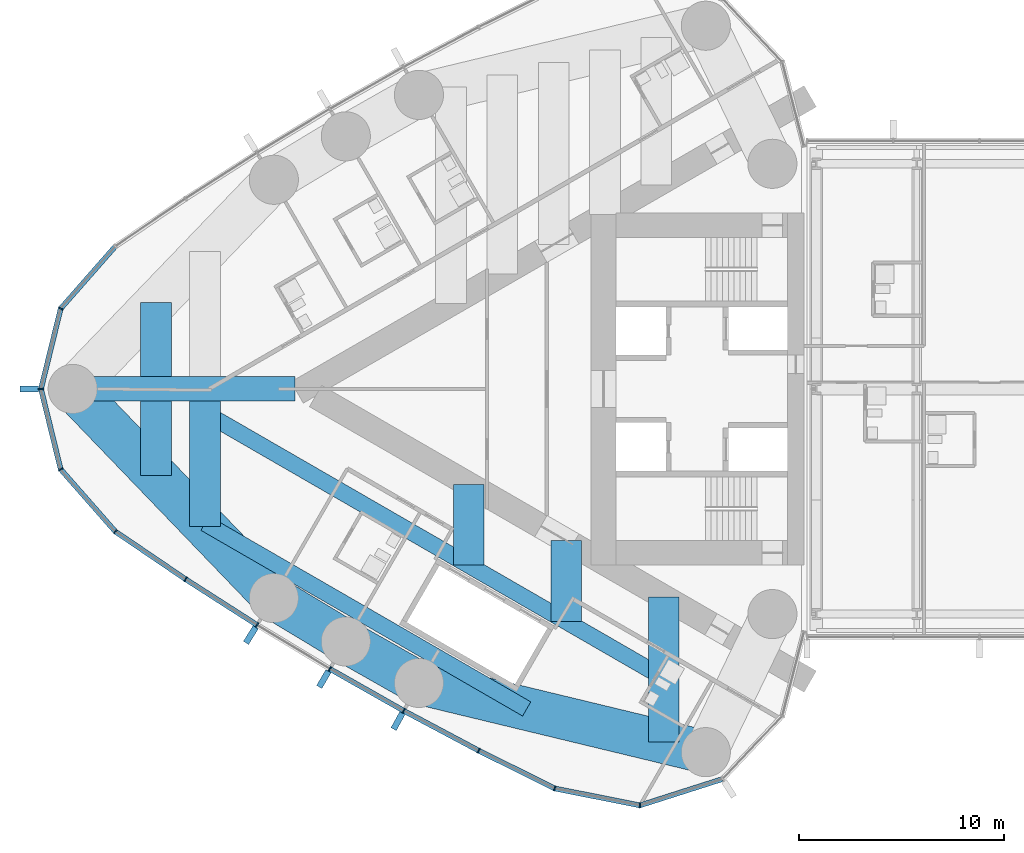
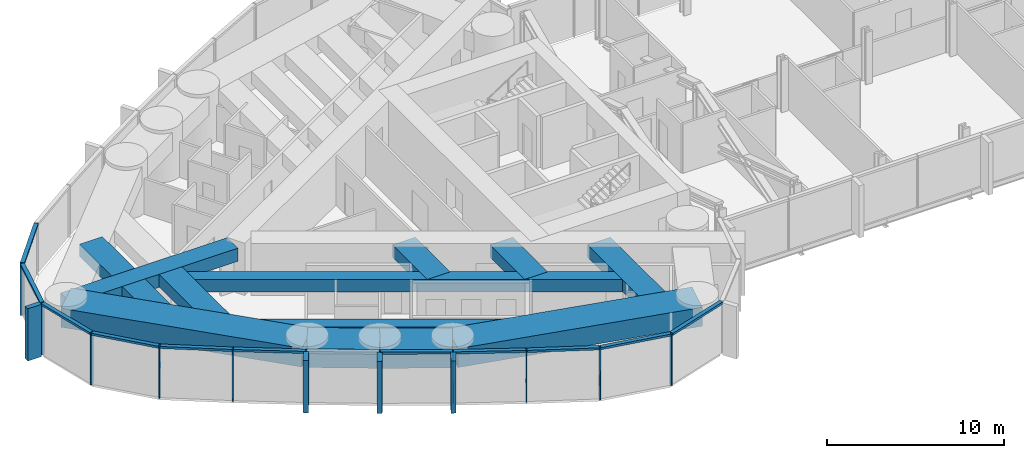
# One storey, part 3 of 24: 26 members, 13 beams, 1 element without a shape of its own.
"""IFC4 building model written with IfcOpenShell, lengths in metres."""

import ifcopenshell
import ifcopenshell.guid

model = None  # the IFC model being written
_history = None  # IfcOwnerHistory: only IFC2X3 demands one
_inside = {}  # id of a spatial element -> (the spatial element, [elements in it])
_under = {}  # id of a project, library or spatial element -> (it, [spatial elements below it])
_declared = {}  # id of a project -> (the project, [libraries it declares])
_typed = {}  # id of a type object -> (the type object, [elements of that type])
_made_of = {}  # id of a material, layer set ... -> (it, [elements and type objects made of it])


def new_model(schema):
    """Start an empty IFC model of exactly this schema.

    Asked for "IFC4X3", IfcOpenShell would pick the latest addendum, in which some entities
    have other attributes; the version numbers below select the first issue.
    IFC2X3 requires an IfcOwnerHistory on every rooted entity: one is made here for all.
    """
    global model, _history
    if schema == "IFC4X3":
        model = ifcopenshell.file(schema_version=(4, 3, 0, 0))
    else:
        model = ifcopenshell.file(schema=schema)
    _inside.clear()
    _under.clear()
    _declared.clear()
    _typed.clear()
    _made_of.clear()
    _history = None
    if model.schema == "IFC2X3":
        org = make("IfcOrganization", Name="unknown")
        user = make(
            "IfcPersonAndOrganization",
            ThePerson=make("IfcPerson", FamilyName="unknown"),
            TheOrganization=org,
        )
        app = make(
            "IfcApplication",
            ApplicationDeveloper=org,
            Version="unknown",
            ApplicationFullName="unknown",
            ApplicationIdentifier="unknown",
        )
        _history = make(
            "IfcOwnerHistory",
            OwningUser=user,
            OwningApplication=app,
            ChangeAction="ADDED",
            CreationDate=0,
        )
    return model


def make(cls, **values):
    """One entity of the class cls with the attributes given. An attribute that is None is left unset."""
    return model.create_entity(
        cls, **{name: value for name, value in values.items() if value is not None}
    )


def rooted(cls, **values):
    """An entity with a GlobalId (a new one), such as an element, a storey or a relation."""
    return make(cls, GlobalId=ifcopenshell.guid.new(), OwnerHistory=_history, **values)


def si_unit(unit_type, name, prefix=None):
    """IfcSIUnit, for example si_unit("LENGTHUNIT", "METRE", prefix="MILLI")."""
    return make("IfcSIUnit", UnitType=unit_type, Prefix=prefix, Name=name)


def assignment(units):
    """IfcUnitAssignment: the units of a project."""
    return None if units is None else make("IfcUnitAssignment", Units=units)


def point(xyz):
    """IfcCartesianPoint."""
    return None if xyz is None else make("IfcCartesianPoint", Coordinates=xyz)


def direction(xyz):
    """IfcDirection."""
    return None if xyz is None else make("IfcDirection", DirectionRatios=xyz)


def frame(location, z_axis=None, x_axis=None):
    """IfcAxis2Placement3D, a coordinate frame: its origin and axes. An axis left out is left unset."""
    return make(
        "IfcAxis2Placement3D",
        Location=point(location),
        Axis=direction(z_axis),
        RefDirection=direction(x_axis),
    )


def frame_2d(location, x_axis=None):
    """IfcAxis2Placement2D, a coordinate frame in the plane: its origin and x axis."""
    return make(
        "IfcAxis2Placement2D", Location=point(location), RefDirection=direction(x_axis)
    )


def origin():
    """The frame at (0, 0, 0) with its axes left unset."""
    return frame((0.0, 0.0, 0.0))


def origin_2d():
    """The frame at (0, 0) in the plane with its x axis left unset."""
    return frame_2d((0.0, 0.0))


def place(relative_to, where):
    """IfcLocalPlacement: puts the frame where relative to a parent placement (None: the world)."""
    return make(
        "IfcLocalPlacement", PlacementRelTo=relative_to, RelativePlacement=where
    )


def context(
    kind, dimensions, precision=None, world=None, true_north=None, identifier=None
):
    """IfcGeometricRepresentationContext, for example the 3D "Model" context."""
    return make(
        "IfcGeometricRepresentationContext",
        ContextIdentifier=identifier,
        ContextType=kind,
        CoordinateSpaceDimension=dimensions,
        Precision=precision,
        WorldCoordinateSystem=world,
        TrueNorth=true_north,
    )


def subcontext(parent, identifier, kind, view, scale=None):
    """IfcGeometricRepresentationSubContext, for example "Body" below "Model"."""
    return make(
        "IfcGeometricRepresentationSubContext",
        ContextIdentifier=identifier,
        ContextType=kind,
        ParentContext=parent,
        TargetScale=scale,
        TargetView=view,
    )


def project(units=None, contexts=None):
    """IfcProject with its units and contexts."""
    return rooted(
        "IfcProject",
        Name="project",
        RepresentationContexts=contexts,
        UnitsInContext=assignment(units),
    )


def spatial(cls, under=None, at=None, **own):
    """A site, building, storey or space (cls), placed at a placement, below another one or the project."""
    s = rooted(cls, ObjectPlacement=at, **own)
    if under is not None:
        _under.setdefault(under.id(), (under, []))[1].append(s)
    return s


def profile(cls, at=None, kind="AREA", **sizes):
    """A parametric profile (cls). Its sizes go by their IFC names, for example OverallWidth=200.0."""
    return make(cls, ProfileType=kind, Position=at, **sizes)


def rectangle(**sizes):
    """IfcRectangleProfileDef."""
    return profile("IfcRectangleProfileDef", **sizes)


def hollow_rectangle(**sizes):
    """IfcRectangleHollowProfileDef."""
    return profile("IfcRectangleHollowProfileDef", **sizes)


def extrude(swept, where, along, depth):
    """IfcExtrudedAreaSolid: the profile swept, set in the frame where, extruded along a direction by depth."""
    return make(
        "IfcExtrudedAreaSolid",
        SweptArea=swept,
        Position=where,
        ExtrudedDirection=direction(along),
        Depth=depth,
    )


def shape(context_of_items, identifier, shape_type, items):
    """IfcShapeRepresentation: the items that make up one representation, for example the "Body"."""
    return make(
        "IfcShapeRepresentation",
        ContextOfItems=context_of_items,
        RepresentationIdentifier=identifier,
        RepresentationType=shape_type,
        Items=items,
    )


def material(Name=None, Category=None):
    """IfcMaterial."""
    return make("IfcMaterial", Name=Name, Category=Category)


def material_profile(
    of_material, cross_section, Name=None, Category=None, Priority=None
):
    """IfcMaterialProfile: a cross section and its material."""
    return make(
        "IfcMaterialProfile",
        Name=Name,
        Material=of_material,
        Profile=cross_section,
        Priority=Priority,
        Category=Category,
    )


def profile_set(profiles, Name=None, composite=None):
    """IfcMaterialProfileSet."""
    return make(
        "IfcMaterialProfileSet",
        Name=Name,
        MaterialProfiles=profiles,
        CompositeProfile=composite,
    )


def made_of(thing, what):
    """Note that an element or type object is made of a material, layer set ...; save() writes the relation."""
    if what is not None:
        _made_of.setdefault(what.id(), (what, []))[1].append(thing)
    return thing


def type_object(cls, material=None, **own):
    """A type object (cls), such as IfcWallType, which elements share."""
    return made_of(rooted(cls, **own), material)


def element(
    cls,
    number,
    at=None,
    inside=None,
    cuts=None,
    type_object=None,
    material=None,
    context=None,
    identifier="Body",
    shape_type=None,
    held_by="IfcProductDefinitionShape",
    body=None,
    shapes=None,
    **own,
):
    """One element of the class cls, such as IfcWall. Its Tag is "e" and its number.

    at: its placement. inside: the storey or other place that contains it. cuts: it is an
    opening in that element (IfcRelVoidsElement). A single representation is given by context,
    identifier, shape_type and body (its items); several are given by shapes. held_by: the class
    of the entity that holds the representations. save() writes the other relations.
    """
    e = rooted(cls, Tag="e%d" % number, ObjectPlacement=at, **own)
    if body is not None:
        shapes = [shape(context, identifier, shape_type, body)]
    if shapes is not None:
        e.Representation = make(held_by, Representations=shapes)
    if inside is not None:
        _inside.setdefault(inside.id(), (inside, []))[1].append(e)
    if cuts is not None:
        rooted(
            "IfcRelVoidsElement", RelatingBuildingElement=cuts, RelatedOpeningElement=e
        )
    if type_object is not None:
        _typed.setdefault(type_object.id(), (type_object, []))[1].append(e)
    return made_of(e, material)


def aggregate(whole, parts):
    """IfcRelAggregates: a whole, such as a stair, and the parts it consists of."""
    return rooted("IfcRelAggregates", RelatingObject=whole, RelatedObjects=parts)


def save(model, path):
    """Write the relations noted so far, then the file.

    IfcRelAggregates (storeys below a building ...), IfcRelContainedInSpatialStructure (elements
    in a storey), IfcRelDefinesByType, IfcRelAssociatesMaterial and IfcRelDeclares: one each for
    every whole, place, type object, material and project.
    """
    for whole, parts in _under.values():
        aggregate(whole, parts)
    for where, things in _inside.values():
        rooted(
            "IfcRelContainedInSpatialStructure",
            RelatedElements=things,
            RelatingStructure=where,
        )
    for kind, things in _typed.values():
        rooted("IfcRelDefinesByType", RelatedObjects=things, RelatingType=kind)
    for what, things in _made_of.values():
        rooted("IfcRelAssociatesMaterial", RelatedObjects=things, RelatingMaterial=what)
    for by, libraries in _declared.values():
        rooted("IfcRelDeclares", RelatingContext=by, RelatedDefinitions=libraries)
    model.write(path)


model = new_model("IFC4")

# Units and contexts
model_context = context("Model", 3, precision=1e-05, world=origin(), true_north=direction((0.0, 1.0)))
body_context = subcontext(model_context, "Body", "Model", "MODEL_VIEW")
ifc_project = project(units=[si_unit("LENGTHUNIT", "METRE"), si_unit("AREAUNIT", "SQUARE_METRE"), si_unit("VOLUMEUNIT", "CUBIC_METRE"), si_unit("PLANEANGLEUNIT", "RADIAN"), si_unit("MASSUNIT", "GRAM", prefix="KILO")], contexts=[model_context])

# Site, building, storey
site_placement = place(None, origin())
site = spatial("IfcSite", under=ifc_project, at=site_placement, CompositionType="ELEMENT")
building_placement = place(site_placement, origin())
building = spatial("IfcBuilding", under=site, at=building_placement, Name="Lancet Gate Hotel", CompositionType="ELEMENT")
storey_placement = place(building_placement, frame((0.0, 0.0, 236.89990234375)))
storey = spatial("IfcBuildingStorey", under=building, at=storey_placement, Name="L63", CompositionType="ELEMENT", Elevation=236.89990234375)

# Curtain wall, members
ifc_material_1 = material(Name="Aluminium curtain wall", Category="aluminium")
curtain_wall_type = type_object("IfcCurtainWallType", Name="Tower unitised curtain wall", PredefinedType="USERDEFINED", material=ifc_material_1)
curtain_wall_placement = place(storey_placement, origin())
curtain_wall = element("IfcCurtainWall", 1, at=curtain_wall_placement, inside=storey, type_object=curtain_wall_type, Name="T1 L63 curtain wall 1", ObjectType="UNITISED CURTAIN WALL", PredefinedType="USERDEFINED")
ifc_material_2 = material(Name="Aluminium mullion", Category="aluminium")
ifc_material_profile_1 = material_profile(ifc_material_2, rectangle(XDim=0.06494140625, YDim=0.25, at=origin_2d()), Name="MULLION 65x250")
ifc_profile_set_1 = profile_set([ifc_material_profile_1], Name="Aluminium mullion")
member_type_1 = type_object("IfcMemberType", Name="Aluminium mullion 65x250", PredefinedType="MULLION", material=ifc_profile_set_1)
member_1_placement = place(storey_placement, frame((-63.822021484375, 3.928466796875, 0.0), z_axis=(0.0, 0.0, 1.0), x_axis=(-0.46217799743, -0.886787177789, 0.0)))
member_1 = element("IfcMember", 2, at=member_1_placement, type_object=member_type_1, Name="T1 L63 curtain wall 1 mullion 12", PredefinedType="MULLION", context=body_context, shape_type="SweptSolid", body=[
    extrude(rectangle(XDim=0.06494140625, YDim=0.25, at=origin_2d()), origin(), (0.0, 0.0, 1.0), 3.60009765625),
])
member_2_placement = place(storey_placement, frame((-64.7841796875, 0.0, 0.0), z_axis=(0.0, 0.0, 1.0), x_axis=(0.0, -1.0, 0.0)))
member_2 = element("IfcMember", 3, at=member_2_placement, type_object=member_type_1, Name="T1 L63 curtain wall 1 mullion 13", PredefinedType="MULLION", context=body_context, shape_type="SweptSolid", body=[
    extrude(rectangle(XDim=0.06494140625, YDim=0.25, at=origin_2d()), origin(), (0.0, 0.0, 1.0), 3.60009765625),
])
member_3_placement = place(storey_placement, frame((-63.822021484375, -3.928466796875, 0.0), z_axis=(0.0, 0.0, 1.0), x_axis=(0.46217799743, -0.886787177789, 0.0)))
member_3 = element("IfcMember", 4, at=member_3_placement, type_object=member_type_1, Name="T1 L63 curtain wall 1 mullion 14", PredefinedType="MULLION", context=body_context, shape_type="SweptSolid", body=[
    extrude(rectangle(XDim=0.06494140625, YDim=0.25, at=origin_2d()), origin(), (0.0, 0.0, 1.0), 3.60009765625),
])
member_4_placement = place(storey_placement, frame((-61.15283203125, -6.967529296875, 0.0), z_axis=(0.0, 0.0, 1.0), x_axis=(0.750715604757, -0.660625522345, 0.0)))
member_4 = element("IfcMember", 5, at=member_4_placement, type_object=member_type_1, Name="T1 L63 curtain wall 1 mullion 15", PredefinedType="MULLION", context=body_context, shape_type="SweptSolid", body=[
    extrude(rectangle(XDim=0.06494140625, YDim=0.25, at=origin_2d()), origin(), (0.0, 0.0, 1.0), 3.60009765625),
])
member_5_placement = place(storey_placement, frame((-57.72021484375, -9.298095703125, 0.0), z_axis=(0.0, 0.0, 1.0), x_axis=(0.834827178542, -0.550512108829, 0.0)))
member_5 = element("IfcMember", 6, at=member_5_placement, type_object=member_type_1, Name="T1 L63 curtain wall 1 mullion 16", PredefinedType="MULLION", context=body_context, shape_type="SweptSolid", body=[
    extrude(rectangle(XDim=0.06494140625, YDim=0.25, at=origin_2d()), origin(), (0.0, 0.0, 1.0), 3.60009765625),
])
member_6_placement = place(storey_placement, frame((-54.225830078125, -11.535400390625, 0.0), z_axis=(0.0, 0.0, 1.0), x_axis=(0.849342388216, -0.527842313176, 0.0)))
member_6 = element("IfcMember", 7, at=member_6_placement, type_object=member_type_1, Name="T1 L63 curtain wall 1 mullion 17", PredefinedType="MULLION", context=body_context, shape_type="SweptSolid", body=[
    extrude(rectangle(XDim=0.06494140625, YDim=0.25, at=origin_2d()), origin(), (0.0, 0.0, 1.0), 3.60009765625),
])
member_7_placement = place(storey_placement, frame((-50.67236328125, -13.677978515625, 0.0), z_axis=(0.0, 0.0, 1.0), x_axis=(0.863242155108, -0.504790037189, 0.0)))
member_7 = element("IfcMember", 8, at=member_7_placement, type_object=member_type_1, Name="T1 L63 curtain wall 1 mullion 18", PredefinedType="MULLION", context=body_context, shape_type="SweptSolid", body=[
    extrude(rectangle(XDim=0.06494140625, YDim=0.25, at=origin_2d()), origin(), (0.0, 0.0, 1.0), 3.60009765625),
])
member_8_placement = place(storey_placement, frame((-47.062744140625, -15.72412109375, 0.0), z_axis=(0.0, 0.0, 1.0), x_axis=(0.876516407283, -0.481371984815, 0.0)))
member_8 = element("IfcMember", 9, at=member_8_placement, type_object=member_type_1, Name="T1 L63 curtain wall 1 mullion 19", PredefinedType="MULLION", context=body_context, shape_type="SweptSolid", body=[
    extrude(rectangle(XDim=0.06494140625, YDim=0.25, at=origin_2d()), origin(), (0.0, 0.0, 1.0), 3.60009765625),
])
member_9_placement = place(storey_placement, frame((-43.3994140625, -17.67236328125, 0.0), z_axis=(0.0, 0.0, 1.0), x_axis=(0.889155526065, -0.457605125046, 0.0)))
member_9 = element("IfcMember", 10, at=member_9_placement, type_object=member_type_1, Name="T1 L63 curtain wall 1 mullion 20", PredefinedType="MULLION", context=body_context, shape_type="SweptSolid", body=[
    extrude(rectangle(XDim=0.06494140625, YDim=0.25, at=origin_2d()), origin(), (0.0, 0.0, 1.0), 3.60009765625),
])
member_10_placement = place(storey_placement, frame((-39.684814453125, -19.521240234375, 0.0), z_axis=(0.0, 0.0, 1.0), x_axis=(0.946887706423, -0.321564412561, 0.0)))
member_10 = element("IfcMember", 11, at=member_10_placement, type_object=member_type_1, Name="T1 L63 curtain wall 1 mullion 21", PredefinedType="MULLION", context=body_context, shape_type="SweptSolid", body=[
    extrude(rectangle(XDim=0.06494140625, YDim=0.25, at=origin_2d()), origin(), (0.0, 0.0, 1.0), 3.60009765625),
])
member_11_placement = place(storey_placement, frame((-35.520751953125, -20.347900390625, 0.0), z_axis=(0.0, 0.0, 1.0), x_axis=(0.998409168318, 0.056383797491, 0.0)))
member_11 = element("IfcMember", 12, at=member_11_placement, type_object=member_type_1, Name="T1 L63 curtain wall 1 mullion 22", PredefinedType="MULLION", context=body_context, shape_type="SweptSolid", body=[
    extrude(rectangle(XDim=0.06494140625, YDim=0.25, at=origin_2d()), origin(), (0.0, 0.0, 1.0), 3.60009765625),
])
ifc_material_3 = material(Name="Aluminium transom", Category="aluminium")
ifc_material_profile_2 = material_profile(ifc_material_3, rectangle(XDim=0.25, YDim=0.14990234375, at=origin_2d()), Name="TRANSOM 250x150")
ifc_profile_set_2 = profile_set([ifc_material_profile_2], Name="Aluminium transom")
member_type_2 = type_object("IfcMemberType", Name="Aluminium transom 250x150", PredefinedType="USERDEFINED", material=ifc_profile_set_2)
member_12_placement = place(storey_placement, frame((-61.17431640625, 6.943115234375, 3.525146484375), z_axis=(-0.659893258593, -0.751359359603, 0.0), x_axis=(0.751359359603, -0.659893258593, 0.0)))
member_12 = element("IfcMember", 13, at=member_12_placement, type_object=member_type_2, Name="T1 L63 curtain wall 1 transom 11", ObjectType="TRANSOM", PredefinedType="USERDEFINED", context=body_context, shape_type="SweptSolid", body=[
    extrude(rectangle(XDim=0.25, YDim=0.14990234375, at=origin_2d()), origin(), (0.0, 0.0, 1.0), 3.979736328125),
])
member_13_placement = place(storey_placement, frame((-63.829833984375, 3.89697265625, 3.525146484375), z_axis=(-0.237899438372, -0.971289790548, 0.0), x_axis=(0.971289790548, -0.237899438372, 0.0)))
member_13 = element("IfcMember", 14, at=member_13_placement, type_object=member_type_2, Name="T1 L63 curtain wall 1 transom 12", ObjectType="TRANSOM", PredefinedType="USERDEFINED", context=body_context, shape_type="SweptSolid", body=[
    extrude(rectangle(XDim=0.25, YDim=0.14990234375, at=origin_2d()), origin(), (0.0, 0.0, 1.0), 3.979736328125),
])
member_14_placement = place(storey_placement, frame((-64.776611328125, -0.031494140625, 3.525146484375), z_axis=(0.237899438372, -0.971289790548, 0.0), x_axis=(0.971289790548, 0.237899438372, 0.0)))
member_14 = element("IfcMember", 15, at=member_14_placement, type_object=member_type_2, Name="T1 L63 curtain wall 1 transom 13", ObjectType="TRANSOM", PredefinedType="USERDEFINED", context=body_context, shape_type="SweptSolid", body=[
    extrude(rectangle(XDim=0.25, YDim=0.14990234375, at=origin_2d()), origin(), (0.0, 0.0, 1.0), 3.979736328125),
])
member_15_placement = place(storey_placement, frame((-63.800537109375, -3.952880859375, 3.525146484375), z_axis=(0.659893258593, -0.751359359603, 0.0), x_axis=(0.751359359603, 0.659893258593, 0.0)))
member_15 = element("IfcMember", 16, at=member_15_placement, type_object=member_type_2, Name="T1 L63 curtain wall 1 transom 14", ObjectType="TRANSOM", PredefinedType="USERDEFINED", context=body_context, shape_type="SweptSolid", body=[
    extrude(rectangle(XDim=0.25, YDim=0.14990234375, at=origin_2d()), origin(), (0.0, 0.0, 1.0), 3.979736328125),
])
member_16_placement = place(storey_placement, frame((-61.1259765625, -6.98583984375, 3.525146484375), z_axis=(0.827348780456, -0.561688521761, 0.0), x_axis=(0.561688521761, 0.827348780456, 0.0)))
member_16 = element("IfcMember", 17, at=member_16_placement, type_object=member_type_2, Name="T1 L63 curtain wall 1 transom 15", ObjectType="TRANSOM", PredefinedType="USERDEFINED", context=body_context, shape_type="SweptSolid", body=[
    extrude(rectangle(XDim=0.25, YDim=0.14990234375, at=origin_2d()), origin(), (0.0, 0.0, 1.0), 4.083984375),
])
member_17_placement = place(storey_placement, frame((-57.692626953125, -9.315673828125, 3.525146484375), z_axis=(0.842144358733, -0.539252147937, 0.0), x_axis=(0.539252147937, 0.842144358733, 0.0)))
member_17 = element("IfcMember", 18, at=member_17_placement, type_object=member_type_2, Name="T1 L63 curtain wall 1 transom 16", ObjectType="TRANSOM", PredefinedType="USERDEFINED", context=body_context, shape_type="SweptSolid", body=[
    extrude(rectangle(XDim=0.25, YDim=0.14990234375, at=origin_2d()), origin(), (0.0, 0.0, 1.0), 4.084228515625),
])
member_18_placement = place(storey_placement, frame((-50.644287109375, -13.694091796875, 3.525146484375), z_axis=(0.869977740049, -0.493090997503, 0.0), x_axis=(0.493090997503, 0.869977740049, 0.0)))
member_18 = element("IfcMember", 19, at=member_18_placement, type_object=member_type_2, Name="T1 L63 curtain wall 1 transom 18", ObjectType="TRANSOM", PredefinedType="USERDEFINED", context=body_context, shape_type="SweptSolid", body=[
    extrude(rectangle(XDim=0.25, YDim=0.14990234375, at=origin_2d()), origin(), (0.0, 0.0, 1.0), 4.084228515625),
])
member_19_placement = place(storey_placement, frame((-47.0341796875, -15.739501953125, 3.525146484375), z_axis=(0.882944619844, -0.469477154171, 0.0), x_axis=(0.469477154171, 0.882944619844, 0.0)))
member_19 = element("IfcMember", 20, at=member_19_placement, type_object=member_type_2, Name="T1 L63 curtain wall 1 transom 19", ObjectType="TRANSOM", PredefinedType="USERDEFINED", context=body_context, shape_type="SweptSolid", body=[
    extrude(rectangle(XDim=0.25, YDim=0.14990234375, at=origin_2d()), origin(), (0.0, 0.0, 1.0), 4.084228515625),
])
member_20_placement = place(storey_placement, frame((-43.370361328125, -17.686767578125, 3.525146484375), z_axis=(0.895226720479, -0.445610950202, 0.0), x_axis=(0.445610950202, 0.895226720479, 0.0)))
member_20 = element("IfcMember", 21, at=member_20_placement, type_object=member_type_2, Name="T1 L63 curtain wall 1 transom 20", ObjectType="TRANSOM", PredefinedType="USERDEFINED", context=body_context, shape_type="SweptSolid", body=[
    extrude(rectangle(XDim=0.25, YDim=0.14990234375, at=origin_2d()), origin(), (0.0, 0.0, 1.0), 4.08447265625),
])
member_21_placement = place(storey_placement, frame((-39.65283203125, -19.527587890625, 3.525146484375), z_axis=(0.980858234867, -0.194723196085, 0.0), x_axis=(0.194723196085, 0.980858234867, 0.0)))
member_21 = element("IfcMember", 22, at=member_21_placement, type_object=member_type_2, Name="T1 L63 curtain wall 1 transom 21", ObjectType="TRANSOM", PredefinedType="USERDEFINED", context=body_context, shape_type="SweptSolid", body=[
    extrude(rectangle(XDim=0.25, YDim=0.14990234375, at=origin_2d()), origin(), (0.0, 0.0, 1.0), 4.18017578125),
])
member_22_placement = place(storey_placement, frame((-35.48974609375, -20.338134765625, 3.525146484375), z_axis=(0.952697713775, 0.303919506068, 0.0), x_axis=(-0.303919506068, 0.952697713775, 0.0)))
member_22 = element("IfcMember", 23, at=member_22_placement, type_object=member_type_2, Name="T1 L63 curtain wall 1 transom 22", ObjectType="TRANSOM", PredefinedType="USERDEFINED", context=body_context, shape_type="SweptSolid", body=[
    extrude(rectangle(XDim=0.25, YDim=0.14990234375, at=origin_2d()), origin(), (0.0, 0.0, 1.0), 4.180419921875),
])

# Beams
ifc_material_4 = material(Name="Concrete C50/60", Category="concrete")
ifc_material_profile_3 = material_profile(ifc_material_4, rectangle(XDim=2.10009765625, YDim=1.300048828125, at=origin_2d()), Name="RC 2100x1300")
ifc_profile_set_3 = profile_set([ifc_material_profile_3], Name="Concrete C50/60")
beam_type_1 = type_object("IfcBeamType", Name="Edge beam RC 2100x1300", PredefinedType="SPANDREL", material=ifc_profile_set_3)
beam_1_placement = place(storey_placement, frame((-63.234375, 0.0, 2.7001953125), z_axis=(0.693134527053, -0.720808245934, 0.0), x_axis=(0.720808245934, 0.693134527053, 0.0)))
element("IfcBeam", 24, at=beam_1_placement, inside=storey, type_object=beam_type_1, Name="T1 edge beam EB1 L63", PredefinedType="SPANDREL", context=body_context, shape_type="SweptSolid", body=[
    extrude(rectangle(XDim=2.10009765625, YDim=1.300048828125, at=origin_2d()), origin(), (0.0, 0.0, 1.0), 14.17724609375),
])
for number, where, z_axis, x_axis, name in (
    (25, (-53.40771484375, -10.218994140625, 2.7001953125), (0.856358061538, -0.516382484636, 0.0), (0.516382484636, 0.856358061538, 0.0), "T1 edge beam EB1 L63"),
    (26, (-49.89013671875, -12.340087890625, 2.7001953125), (0.869978841992, -0.493089053301, 0.0), (0.493089053301, 0.869978841992, 0.0), "T1 edge beam EB1 L63"),
):
    element("IfcBeam", number, at=place(storey_placement, frame(where, z_axis=z_axis, x_axis=x_axis)), inside=storey, type_object=beam_type_1, Name=name, PredefinedType="SPANDREL", context=body_context, shape_type="SweptSolid", body=[
        extrude(rectangle(XDim=2.10009765625, YDim=1.300048828125, at=origin_2d()), origin(), (0.0, 0.0, 1.0), 4.107666015625),
    ])
beam_2_placement = place(storey_placement, frame((-46.316650390625, -14.365478515625, 2.7001953125), z_axis=(0.972132796948, -0.234430853556, 0.0), x_axis=(0.234430853556, 0.972132796948, 0.0)))
element("IfcBeam", 27, at=beam_2_placement, inside=storey, type_object=beam_type_1, Name="T1 edge beam EB1 L63", PredefinedType="SPANDREL", context=body_context, shape_type="SweptSolid", body=[
    extrude(rectangle(XDim=2.10009765625, YDim=1.300048828125, at=origin_2d()), origin(), (0.0, 0.0, 1.0), 14.41748046875),
])

# Member
ifc_material_5 = material(Name="Precast concrete C50/60", Category="concrete")
ifc_material_profile_4 = material_profile(ifc_material_5, rectangle(XDim=0.300048828125, YDim=0.89990234375, at=origin_2d()), Name="FIN 300x900")
ifc_profile_set_4 = profile_set([ifc_material_profile_4], Name="Precast concrete C50/60")
member_type_3 = type_object("IfcMemberType", Name="Exposed concrete fin 300x900", PredefinedType="USERDEFINED", material=ifc_profile_set_4)
member_23_placement = place(storey_placement, frame((-65.359375, 0.0, 0.0), z_axis=(0.0, 0.0, 1.0), x_axis=(0.0, -1.0, 0.0)))
member_23 = element("IfcMember", 28, at=member_23_placement, type_object=member_type_3, Name="T1 L63 curtain wall 1 fin 13", ObjectType="FIN", PredefinedType="USERDEFINED", context=body_context, shape_type="SweptSolid", body=[
    extrude(rectangle(XDim=0.300048828125, YDim=0.89990234375, at=origin_2d()), origin(), (0.0, 0.0, 1.0), 3.60009765625),
])

member_24_placement = place(storey_placement, frame((-54.529296875, -12.02392578125, 0.0), z_axis=(0.0, 0.0, 1.0), x_axis=(0.849342388216, -0.527842313176, 0.0)))
member_24 = element("IfcMember", 29, at=member_24_placement, type_object=member_type_3, Name="T1 L63 curtain wall 1 fin 17", ObjectType="FIN", PredefinedType="USERDEFINED", context=body_context, shape_type="SweptSolid", body=[
    extrude(rectangle(XDim=0.300048828125, YDim=0.89990234375, at=origin_2d()), origin(), (0.0, 0.0, 1.0), 3.60009765625),
])

member_25_placement = place(storey_placement, frame((-50.962646484375, -14.17431640625, 0.0), z_axis=(0.0, 0.0, 1.0), x_axis=(0.863242155108, -0.504790037189, 0.0)))
member_25 = element("IfcMember", 30, at=member_25_placement, type_object=member_type_3, Name="T1 L63 curtain wall 1 fin 18", ObjectType="FIN", PredefinedType="USERDEFINED", context=body_context, shape_type="SweptSolid", body=[
    extrude(rectangle(XDim=0.300048828125, YDim=0.89990234375, at=origin_2d()), origin(), (0.0, 0.0, 1.0), 3.60009765625),
])

member_26_placement = place(storey_placement, frame((-47.339599609375, -16.22802734375, 0.0), z_axis=(0.0, 0.0, 1.0), x_axis=(0.876516407283, -0.481371984815, 0.0)))
member_26 = element("IfcMember", 31, at=member_26_placement, type_object=member_type_3, Name="T1 L63 curtain wall 1 fin 19", ObjectType="FIN", PredefinedType="USERDEFINED", context=body_context, shape_type="SweptSolid", body=[
    extrude(rectangle(XDim=0.300048828125, YDim=0.89990234375, at=origin_2d()), origin(), (0.0, 0.0, 1.0), 3.60009765625),
])

aggregate(curtain_wall, [member_1, member_2, member_23, member_3, member_4, member_5, member_6, member_24, member_7, member_25, member_8, member_26, member_9, member_10, member_11, member_12, member_13, member_14, member_15, member_16, member_17, member_18, member_19, member_20, member_21, member_22])

# Beams
ifc_material_6 = material(Name="Concrete C50/60", Category="concrete")
ifc_material_profile_5 = material_profile(ifc_material_6, rectangle(XDim=1.5, YDim=0.85009765625, at=origin_2d()), Name="RC 1500x850")
ifc_profile_set_5 = profile_set([ifc_material_profile_5], Name="Concrete C50/60")
beam_type_2 = type_object("IfcBeamType", Name="Floor beam RC 1500x850", PredefinedType="BEAM", material=ifc_profile_set_5)
beam_3_placement = place(storey_placement, frame((-34.353515625, -10.169921875, 2.925048828125), z_axis=(0.0, -1.0, 0.0), x_axis=(1.0, 0.0, 0.0)))
element("IfcBeam", 32, at=beam_3_placement, inside=storey, type_object=beam_type_2, Name="T1 floor beam F01N L63", PredefinedType="BEAM", context=body_context, shape_type="SweptSolid", body=[
    extrude(rectangle(XDim=1.5, YDim=0.85009765625, at=origin_2d()), origin(), (0.0, 0.0, 1.0), 7.08056640625),
])
beam_4_placement = place(storey_placement, frame((-56.768310546875, -0.60009765625, 2.925048828125), z_axis=(0.0, -1.0, 0.0), x_axis=(1.0, 0.0, 0.0)))
element("IfcBeam", 33, at=beam_4_placement, inside=storey, type_object=beam_type_2, Name="T1 floor beam F10N L63", PredefinedType="BEAM", context=body_context, shape_type="SweptSolid", body=[
    extrude(rectangle(XDim=1.5, YDim=0.85009765625, at=origin_2d()), origin(), (0.0, 0.0, 1.0), 6.1240234375),
])
for number, where, z_axis, x_axis, name in (
    (34, (-59.168212890625, 4.228271484375, 2.925048828125), (0.0, -1.0, 0.0), (1.0, 0.0, 0.0), "T1 floor beam F11S L63"),
    (35, (-59.168212890625, -0.60009765625, 2.925048828125), (0.0, -1.0, 0.0), (1.0, 0.0, 0.0), "T1 floor beam F12N L63"),
):
    element("IfcBeam", number, at=place(storey_placement, frame(where, z_axis=z_axis, x_axis=x_axis)), inside=storey, type_object=beam_type_2, Name=name, PredefinedType="BEAM", context=body_context, shape_type="SweptSolid", body=[
        extrude(rectangle(XDim=1.5, YDim=0.85009765625, at=origin_2d()), origin(), (0.0, 0.0, 1.0), 3.628173828125),
    ])
for number, where, z_axis, x_axis, name in (
    (36, (-39.122314453125, -7.41650390625, 2.925048828125), (0.0, -1.0, 0.0), (1.0, 0.0, 0.0), "T1 floor beam F04NA L63"),
    (37, (-43.891357421875, -4.663330078125, 2.925048828125), (0.0, -1.0, 0.0), (1.0, 0.0, 0.0), "T1 floor beam F07NA L63"),
):
    element("IfcBeam", number, at=place(storey_placement, frame(where, z_axis=z_axis, x_axis=x_axis)), inside=storey, type_object=beam_type_2, Name=name, PredefinedType="BEAM", context=body_context, shape_type="SweptSolid", body=[
        extrude(rectangle(XDim=1.5, YDim=0.85009765625, at=origin_2d()), origin(), (0.0, 0.0, 1.0), 3.945556640625),
    ])
ifc_material_7 = material(Name="Concrete C50/60", Category="concrete")
ifc_material_profile_6 = material_profile(ifc_material_7, rectangle(XDim=1.199951171875, YDim=0.89990234375, at=origin_2d()), Name="RC 1200x900")
ifc_profile_set_6 = profile_set([ifc_material_profile_6], Name="Concrete C50/60")
beam_type_3 = type_object("IfcBeamType", Name="Radial floor beam RC 1200x900", PredefinedType="BEAM", material=ifc_profile_set_6)
beam_5_placement = place(storey_placement, frame((-63.234375, 0.0, 2.900146484375), z_axis=(1.0, 0.0, 0.0), x_axis=(0.0, 1.0, 0.0)))
element("IfcBeam", 38, at=beam_5_placement, inside=storey, type_object=beam_type_3, Name="T1 radial beam CA L63", PredefinedType="BEAM", context=body_context, shape_type="SweptSolid", body=[
    extrude(rectangle(XDim=1.199951171875, YDim=0.89990234375, at=origin_2d()), origin(), (0.0, 0.0, 1.0), 10.8662109375),
])
ifc_material_8 = material(Name="Steel S460QL", Category="steel")
ifc_material_profile_7 = material_profile(ifc_material_8, hollow_rectangle(XDim=0.800048828125, YDim=0.85009765625, WallThickness=0.080078125, at=origin_2d()), Name="BOX 850x800x80")
ifc_profile_set_7 = profile_set([ifc_material_profile_7], Name="Steel S460QL")
beam_type_4 = type_object("IfcBeamType", Name="Trimmer beam BOX 850x800x80", PredefinedType="BEAM", material=ifc_profile_set_7)
beam_6_placement = place(storey_placement, frame((-34.353515625, -14.115234375, 2.925048828125), z_axis=(-0.866038088301, 0.499978029129, 0.0), x_axis=(-0.499978029129, -0.866038088301, 0.0)))
element("IfcBeam", 39, at=beam_6_placement, inside=storey, type_object=beam_type_4, Name="T1 trimmer beam TR01N L63", PredefinedType="BEAM", context=body_context, shape_type="SweptSolid", body=[
    extrude(hollow_rectangle(XDim=0.800048828125, YDim=0.85009765625, WallThickness=0.080078125, at=origin_2d()), origin(), (0.0, 0.0, 1.0), 25.882080078125),
])
beam_7_placement = place(storey_placement, frame((-41.05322265625, -15.634765625, 2.925048828125), z_axis=(-0.866039732055, 0.499975181887, 0.0), x_axis=(-0.499975181887, -0.866039732055, 0.0)))
element("IfcBeam", 40, at=beam_7_placement, inside=storey, type_object=beam_type_4, Name="T1 trimmer beam TR02N L63", PredefinedType="BEAM", context=body_context, shape_type="SweptSolid", body=[
    extrude(hollow_rectangle(XDim=0.800048828125, YDim=0.85009765625, WallThickness=0.080078125, at=origin_2d()), origin(), (0.0, 0.0, 1.0), 18.14599609375),
])

save(model, "model.ifc")
